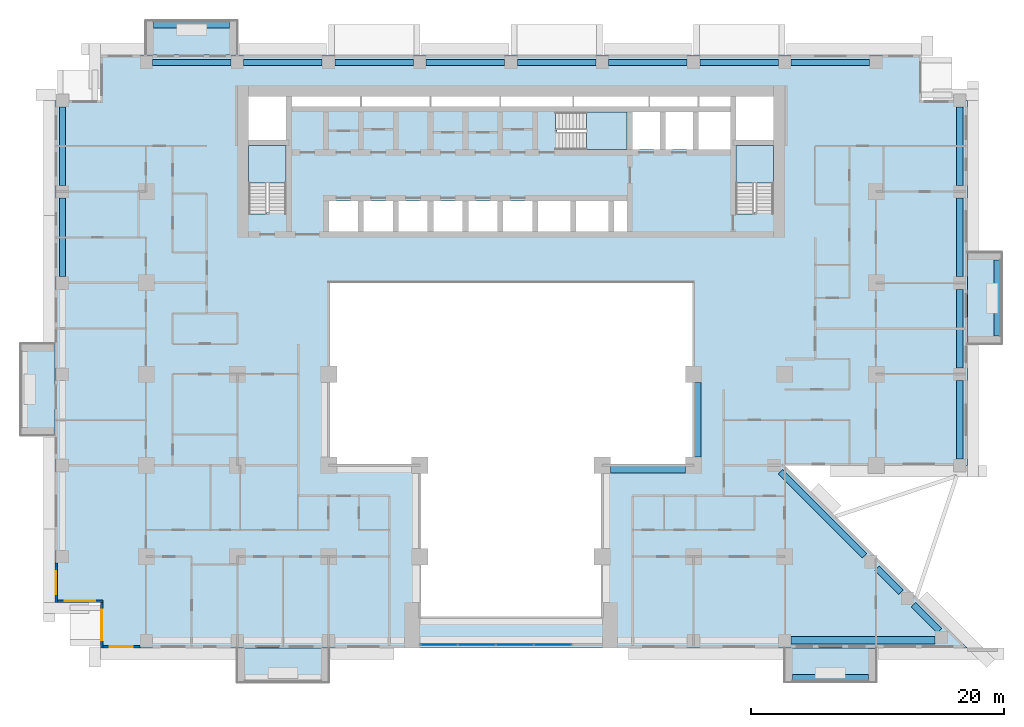
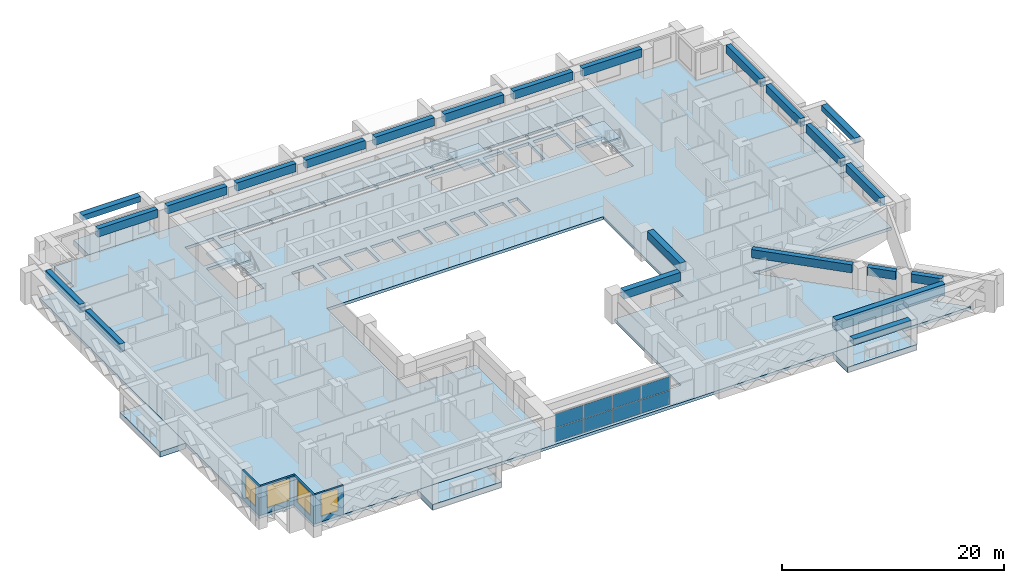
# One storey, part 5 of 16: 23 beams, 9 slabs, 8 plates, 4 walls, 4 windows, 4 openings, 4 elements without a shape of their own.
"""IFC4 building model written with IfcOpenShell, lengths in metres."""

from ifc_helpers import new_model, si_unit, direction, frame, frame_2d, origin, origin_2d, place, context, subcontext, project, spatial, polyline, rectangle, outline, extrude, source, transform, mapped, material, layer, layer_set, material_profile, profile_set, type_object, element, fill, aggregate, save


model = new_model("IFC4")

# Units and contexts
model_context = context("Model", 3, precision=1e-05, world=origin(), true_north=direction((0.0, 1.0)))
body_context = subcontext(model_context, "Body", "Model", "MODEL_VIEW")
ifc_project = project(units=[si_unit("LENGTHUNIT", "METRE"), si_unit("AREAUNIT", "SQUARE_METRE"), si_unit("VOLUMEUNIT", "CUBIC_METRE"), si_unit("PLANEANGLEUNIT", "RADIAN"), si_unit("MASSUNIT", "GRAM", prefix="KILO")], contexts=[model_context])

# Site, building, storey
site_placement = place(None, origin())
site = spatial("IfcSite", under=ifc_project, at=site_placement, CompositionType="ELEMENT")
building_placement = place(site_placement, origin())
building = spatial("IfcBuilding", under=site, at=building_placement, Name="Saffron Iwan Residences", CompositionType="ELEMENT")
storey_placement = place(building_placement, frame((0.0, 0.0, 83.0)))
storey = spatial("IfcBuildingStorey", under=building, at=storey_placement, Name="L21", CompositionType="ELEMENT", Elevation=83.0)

# Beams
ifc_material_1 = material(Name="Concrete C60/75", Category="concrete")
ifc_material_profile_1 = material_profile(ifc_material_1, rectangle(XDim=0.5, YDim=0.89990234375, at=origin_2d()), Name="RC 500x900")
ifc_profile_set_1 = profile_set([ifc_material_profile_1], Name="Concrete C60/75")
beam_type_1 = type_object("IfcBeamType", Name="SPANDREL BEAM RC 500x900 C60/75 TOP 3180", PredefinedType="SPANDREL", material=ifc_profile_set_1)
shared_shape_1 = source(origin(), body_context, "Body", "SweptSolid", [
    extrude(rectangle(XDim=0.5, YDim=0.89990234375, at=origin_2d()), origin(), (0.0, 0.0, 1.0), 6.199951171875),
])
for number, where, z_axis, x_axis, name in (
    (1, (85.800048828125, 54.699951171875, 2.72998046875), (0.0, -1.0, 0.0), (1.0, 0.0, 0.0), "Spandrel beam"),
    (2, (85.800048828125, 61.89990234375, 2.72998046875), (0.0, -1.0, 0.0), (1.0, 0.0, 0.0), "Spandrel beam"),
    (3, (15.0, 70.10009765625, 2.72998046875), (0.0, 1.0, 0.0), (-1.0, 0.0, 0.0), "Spandrel beam"),
    (4, (85.800048828125, 76.300048828125, 2.72998046875), (0.0, -1.0, 0.0), (1.0, 0.0, 0.0), "Spandrel beam"),
    (5, (22.10009765625, 79.800048828125, 2.72998046875), (1.0, 0.0, 0.0), (0.0, 1.0, 0.0), "Spandrel beam"),
    (6, (29.300048828125, 79.800048828125, 2.72998046875), (1.0, 0.0, 0.0), (0.0, 1.0, 0.0), "Spandrel beam"),
    (7, (36.5, 79.800048828125, 2.72998046875), (1.0, 0.0, 0.0), (0.0, 1.0, 0.0), "Spandrel beam"),
    (8, (43.699951171875, 79.800048828125, 2.72998046875), (1.0, 0.0, 0.0), (0.0, 1.0, 0.0), "Spandrel beam"),
    (9, (58.10009765625, 79.800048828125, 2.72998046875), (1.0, 0.0, 0.0), (0.0, 1.0, 0.0), "Spandrel beam"),
    (10, (65.300048828125, 79.800048828125, 2.72998046875), (1.0, 0.0, 0.0), (0.0, 1.0, 0.0), "Spandrel beam"),
    (11, (72.5, 79.800048828125, 2.72998046875), (1.0, 0.0, 0.0), (0.0, 1.0, 0.0), "Spandrel beam"),
):
    element("IfcBeam", number, at=place(storey_placement, frame(where, z_axis=z_axis, x_axis=x_axis)), inside=storey, type_object=beam_type_1, Name=name, PredefinedType="SPANDREL", context=body_context, shape_type="MappedRepresentation", body=[
        mapped(shared_shape_1, transform((0.0, 0.0, 0.0))),
    ])
shared_shape_2 = source(origin(), body_context, "Body", "SweptSolid", [
    extrude(rectangle(XDim=0.5, YDim=0.89990234375, at=origin_2d()), origin(), (0.0, 0.0, 1.0), 2.90478515625),
])
beam_1_placement = place(storey_placement, frame((82.15576171875, 36.995849609375, 2.72998046875), z_axis=(0.707106781187, -0.707106781187, 0.0), x_axis=(0.707106781187, 0.707106781187, 0.0)))
element("IfcBeam", 12, at=beam_1_placement, inside=storey, type_object=beam_type_1, Name="Spandrel beam", PredefinedType="SPANDREL", context=body_context, shape_type="MappedRepresentation", body=[
    mapped(shared_shape_2, transform((0.0, 0.0, 0.0))),
])
shared_shape_3 = source(origin(), body_context, "Body", "SweptSolid", [
    extrude(rectangle(XDim=0.5, YDim=0.89990234375, at=origin_2d()), origin(), (0.0, 0.0, 1.0), 2.658935546875),
])
beam_2_placement = place(storey_placement, frame((79.275634765625, 39.875732421875, 2.72998046875), z_axis=(0.707106781187, -0.707106781187, 0.0), x_axis=(0.707106781187, 0.707106781187, 0.0)))
element("IfcBeam", 13, at=beam_2_placement, inside=storey, type_object=beam_type_1, Name="Spandrel beam", PredefinedType="SPANDREL", context=body_context, shape_type="MappedRepresentation", body=[
    mapped(shared_shape_3, transform((0.0, 0.0, 0.0))),
])
shared_shape_4 = source(origin(), body_context, "Body", "SweptSolid", [
    extrude(rectangle(XDim=0.5, YDim=0.89990234375, at=origin_2d()), origin(), (0.0, 0.0, 1.0), 9.370361328125),
])
beam_3_placement = place(storey_placement, frame((71.64990234375, 47.50146484375, 2.72998046875), z_axis=(0.707119808329, -0.707093753804, 0.0), x_axis=(0.707093753804, 0.707119808329, 0.0)))
element("IfcBeam", 14, at=beam_3_placement, inside=storey, type_object=beam_type_1, Name="Spandrel beam", PredefinedType="SPANDREL", context=body_context, shape_type="MappedRepresentation", body=[
    mapped(shared_shape_4, transform((0.0, 0.0, 0.0))),
])
shared_shape_5 = source(origin(), body_context, "Body", "SweptSolid", [
    extrude(rectangle(XDim=0.5, YDim=0.89990234375, at=origin_2d()), origin(), (0.0, 0.0, 1.0), 6.2001953125),
])
for number, where, z_axis, x_axis, name in (
    (15, (15.0, 62.89990234375, 2.72998046875), (0.0, 1.0, 0.0), (-1.0, 0.0, 0.0), "Spandrel beam"),
    (16, (85.800048828125, 69.10009765625, 2.72998046875), (0.0, -1.0, 0.0), (1.0, 0.0, 0.0), "Spandrel beam"),
    (17, (50.89990234375, 79.800048828125, 2.72998046875), (1.0, 0.0, 0.0), (0.0, 1.0, 0.0), "Spandrel beam"),
):
    element("IfcBeam", number, at=place(storey_placement, frame(where, z_axis=z_axis, x_axis=x_axis)), inside=storey, type_object=beam_type_1, Name=name, PredefinedType="SPANDREL", context=body_context, shape_type="MappedRepresentation", body=[
        mapped(shared_shape_5, transform((0.0, 0.0, 0.0))),
    ])
ifc_material_profile_2 = material_profile(ifc_material_1, rectangle(XDim=0.60009765625, YDim=1.199951171875, at=origin_2d()), Name="RC 600x1200")
ifc_profile_set_2 = profile_set([ifc_material_profile_2], Name="Concrete C60/75")
beam_type_2 = type_object("IfcBeamType", Name="LINTEL BEAM RC 600x1200 C60/75 TOP 3180", PredefinedType="LINTEL", material=ifc_profile_set_2)
shared_shape_6 = source(origin(), body_context, "Body", "SweptSolid", [
    extrude(rectangle(XDim=0.60009765625, YDim=1.199951171875, at=origin_2d()), origin(), (0.0, 0.0, 1.0), 11.367431640625),
])
beam_4_placement = place(storey_placement, frame((83.867431640625, 34.199951171875, 2.580078125), z_axis=(-1.0, 0.0, 0.0), x_axis=(0.0, -1.0, 0.0)))
element("IfcBeam", 18, at=beam_4_placement, inside=storey, type_object=beam_type_2, Name="Lintel beam over the iwan", PredefinedType="LINTEL", context=body_context, shape_type="MappedRepresentation", body=[
    mapped(shared_shape_6, transform((0.0, 0.0, 0.0))),
])
ifc_material_profile_3 = material_profile(ifc_material_1, rectangle(XDim=0.60009765625, YDim=0.89990234375, at=origin_2d()), Name="RC 600x900")
ifc_profile_set_3 = profile_set([ifc_material_profile_3], Name="Concrete C60/75")
beam_type_3 = type_object("IfcBeamType", Name="BEAM RC 600x900 C60/75 TOP 3180", PredefinedType="BEAM", material=ifc_profile_set_3)
shared_shape_7 = source(origin(), body_context, "Body", "SweptSolid", [
    extrude(rectangle(XDim=0.60009765625, YDim=0.89990234375, at=origin_2d()), origin(), (0.0, 0.0, 1.0), 5.900146484375),
])
beam_5_placement = place(storey_placement, frame((65.10009765625, 54.550048828125, 2.72998046875), z_axis=(0.0, -1.0, 0.0), x_axis=(1.0, 0.0, 0.0)))
element("IfcBeam", 19, at=beam_5_placement, inside=storey, type_object=beam_type_3, Name="Atrium edge beam", PredefinedType="BEAM", context=body_context, shape_type="MappedRepresentation", body=[
    mapped(shared_shape_7, transform((0.0, 0.0, 0.0))),
])
shared_shape_8 = source(origin(), body_context, "Body", "SweptSolid", [
    extrude(rectangle(XDim=0.60009765625, YDim=0.89990234375, at=origin_2d()), origin(), (0.0, 0.0, 1.0), 5.89990234375),
])
beam_6_placement = place(storey_placement, frame((64.14990234375, 47.699951171875, 2.72998046875), z_axis=(-1.0, 0.0, 0.0), x_axis=(0.0, -1.0, 0.0)))
element("IfcBeam", 20, at=beam_6_placement, inside=storey, type_object=beam_type_3, Name="Atrium edge beam", PredefinedType="BEAM", context=body_context, shape_type="MappedRepresentation", body=[
    mapped(shared_shape_8, transform((0.0, 0.0, 0.0))),
])
ifc_material_2 = material(Name="Concrete C50/60 white painted", Category="concrete")
ifc_material_profile_4 = material_profile(ifc_material_2, rectangle(XDim=0.60009765625, YDim=0.60009765625, at=origin_2d()), Name="BALCONY FASCIA BEAM 600 x 600")
ifc_profile_set_4 = profile_set([ifc_material_profile_4], Name="Concrete C50/60 white painted")
beam_type_4 = type_object("IfcBeamType", Name="BALCONY FASCIA BEAM 600 x 600", PredefinedType="BEAM", material=ifc_profile_set_4)
shared_shape_9 = source(origin(), body_context, "Body", "SweptSolid", [
    extrude(rectangle(XDim=0.60009765625, YDim=0.60009765625, at=origin_2d()), origin(), (0.0, 0.0, 1.0), 6.0),
])
for number, where, z_axis, x_axis, name in (
    (21, (88.800048828125, 58.199951171875, 2.550048828125), (0.0, 1.0, 0.0), (-1.0, 0.0, 0.0), "Balcony fascia beam L21 F2-0"),
    (22, (28.199951171875, 82.800048828125, 2.550048828125), (-1.0, 0.0, 0.0), (0.0, -1.0, 0.0), "Balcony fascia beam L21 F5-3"),
    (23, (72.60009765625, 31.199951171875, 2.550048828125), (1.0, 0.0, 0.0), (0.0, 1.0, 0.0), "Balcony fascia beam L21 11-1"),
):
    element("IfcBeam", number, at=place(storey_placement, frame(where, z_axis=z_axis, x_axis=x_axis)), inside=storey, type_object=beam_type_4, Name=name, PredefinedType="BEAM", context=body_context, shape_type="MappedRepresentation", body=[
        mapped(shared_shape_9, transform((0.0, 0.0, 0.0))),
    ])

# Slabs
ifc_layer_1 = layer(ifc_material_2, 0.60009765625)
ifc_layer_set_1 = layer_set([ifc_layer_1], Name="Concrete C50/60 white painted")
slab_type_1 = type_object("IfcSlabType", Name="BALCONY FRAME SLAB 600", PredefinedType="FLOOR", material=ifc_layer_set_1)
slab_1_placement = place(storey_placement, frame((0.0, 0.0, -0.60009765625)))
element("IfcSlab", 24, at=slab_1_placement, inside=storey, type_object=slab_type_1, Name="Balcony frame slab L21 F2-0", PredefinedType="FLOOR", context=body_context, shape_type="SweptSolid", body=[
    extrude(outline(polyline([(89.10009765625, 57.60009765625), (89.10009765625, 64.800048828125), (86.39990234375, 64.800048828125), (86.39990234375, 57.60009765625), (89.10009765625, 57.60009765625)])), origin(), (0.0, 0.0, 1.0), 0.60009765625),
])
slab_2_placement = place(storey_placement, frame((0.0, 0.0, -0.60009765625)))
element("IfcSlab", 25, at=slab_2_placement, inside=storey, type_object=slab_type_1, Name="Balcony frame slab L21 F5-3", PredefinedType="FLOOR", context=body_context, shape_type="SweptSolid", body=[
    extrude(outline(polyline([(28.800048828125, 83.10009765625), (21.60009765625, 83.10009765625), (21.60009765625, 80.39990234375), (28.800048828125, 80.39990234375), (28.800048828125, 83.10009765625)])), origin(), (0.0, 0.0, 1.0), 0.60009765625),
])
slab_3_placement = place(storey_placement, frame((0.0, 0.0, -0.60009765625)))
element("IfcSlab", 26, at=slab_3_placement, inside=storey, type_object=slab_type_1, Name="Balcony frame slab L21 F8-1", PredefinedType="FLOOR", context=body_context, shape_type="SweptSolid", body=[
    extrude(outline(polyline([(11.699951171875, 57.60009765625), (11.699951171875, 50.39990234375), (14.39990234375, 50.39990234375), (14.39990234375, 57.60009765625), (11.699951171875, 57.60009765625)])), origin(), (0.0, 0.0, 1.0), 0.60009765625),
])
slab_4_placement = place(storey_placement, frame((0.0, 0.0, -0.60009765625)))
element("IfcSlab", 27, at=slab_4_placement, inside=storey, type_object=slab_type_1, Name="Balcony frame slab L21 11-0", PredefinedType="FLOOR", context=body_context, shape_type="SweptSolid", body=[
    extrude(outline(polyline([(28.800048828125, 30.89990234375), (36.0, 30.89990234375), (36.0, 33.60009765625), (28.800048828125, 33.60009765625), (28.800048828125, 30.89990234375)])), origin(), (0.0, 0.0, 1.0), 0.60009765625),
])
slab_5_placement = place(storey_placement, frame((0.0, 0.0, -0.60009765625)))
element("IfcSlab", 28, at=slab_5_placement, inside=storey, type_object=slab_type_1, Name="Balcony frame slab L21 11-1", PredefinedType="FLOOR", context=body_context, shape_type="SweptSolid", body=[
    extrude(outline(polyline([(72.0, 30.89990234375), (79.199951171875, 30.89990234375), (79.199951171875, 33.60009765625), (72.0, 33.60009765625), (72.0, 30.89990234375)])), origin(), (0.0, 0.0, 1.0), 0.60009765625),
])
ifc_material_3 = material(Name="Concrete C40/50", Category="concrete")
ifc_layer_2 = layer(ifc_material_3, 0.320068359375)
ifc_layer_set_2 = layer_set([ifc_layer_2], Name="Concrete C40/50")
slab_type_2 = type_object("IfcSlabType", Name="PT PLATE 320 C40/50", PredefinedType="FLOOR", material=ifc_layer_set_2)
slab_6_placement = place(storey_placement, frame((0.0, 0.0, -0.320068359375)))
element("IfcSlab", 29, at=slab_6_placement, inside=storey, type_object=slab_type_2, Name="Floor slab L21", PredefinedType="FLOOR", context=body_context, shape_type="SweptSolid", body=[
    extrude(outline(polyline([(14.39990234375, 37.199951171875), (14.39990234375, 76.800048828125), (18.0, 76.800048828125), (18.0, 80.39990234375), (82.800048828125, 80.39990234375), (82.800048828125, 76.800048828125), (86.39990234375, 76.800048828125), (86.39990234375, 48.0), (72.0, 48.0), (86.39990234375, 33.60009765625), (18.0, 33.60009765625), (18.0, 37.199951171875), (14.39990234375, 37.199951171875)]), holes=[polyline([(64.800048828125, 48.0), (64.800048828125, 62.39990234375), (36.0, 62.39990234375), (36.0, 48.0), (43.199951171875, 48.0), (43.199951171875, 36.0), (57.60009765625, 36.0), (57.60009765625, 48.0), (64.800048828125, 48.0)]), polyline([(38.324951171875, 68.875), (36.02490234375, 68.875), (36.02490234375, 66.449951171875), (38.324951171875, 66.449951171875), (38.324951171875, 68.875)]), polyline([(41.074951171875, 66.449951171875), (41.074951171875, 68.875), (38.77490234375, 68.875), (38.77490234375, 66.449951171875), (41.074951171875, 66.449951171875)]), polyline([(43.824951171875, 66.449951171875), (43.824951171875, 68.875), (41.52490234375, 68.875), (41.52490234375, 66.449951171875), (43.824951171875, 66.449951171875)]), polyline([(46.574951171875, 68.875), (44.27490234375, 68.875), (44.27490234375, 66.449951171875), (46.574951171875, 66.449951171875), (46.574951171875, 68.875)]), polyline([(49.324951171875, 66.449951171875), (49.324951171875, 68.875), (47.02490234375, 68.875), (47.02490234375, 66.449951171875), (49.324951171875, 66.449951171875)]), polyline([(52.074951171875, 66.449951171875), (52.074951171875, 68.875), (49.77490234375, 68.875), (49.77490234375, 66.449951171875), (52.074951171875, 66.449951171875)]), polyline([(29.699951171875, 73.25), (29.699951171875, 67.949951171875), (29.699951171875, 67.8505859375), (31.10009765625, 67.8505859375), (31.10009765625, 67.949951171875), (32.64990234375, 67.949951171875), (32.64990234375, 73.25), (29.699951171875, 73.25)]), polyline([(32.64990234375, 73.699951171875), (32.64990234375, 77.10009765625), (29.699951171875, 77.10009765625), (29.699951171875, 73.699951171875), (32.64990234375, 73.699951171875)]), polyline([(38.5, 76.324951171875), (38.5, 77.10009765625), (33.10009765625, 77.10009765625), (33.10009765625, 76.324951171875), (38.5, 76.324951171875)]), polyline([(44.0, 77.10009765625), (38.60009765625, 77.10009765625), (38.60009765625, 76.324951171875), (44.0, 76.324951171875), (44.0, 77.10009765625)]), polyline([(49.5, 76.324951171875), (49.5, 77.10009765625), (44.10009765625, 77.10009765625), (44.10009765625, 76.324951171875), (49.5, 76.324951171875)]), polyline([(55.25, 76.324951171875), (55.25, 77.10009765625), (49.60009765625, 77.10009765625), (49.60009765625, 76.324951171875), (55.25, 76.324951171875)]), polyline([(55.074951171875, 68.875), (52.52490234375, 68.875), (52.52490234375, 66.449951171875), (55.074951171875, 66.449951171875), (55.074951171875, 68.875)]), polyline([(58.074951171875, 66.449951171875), (58.074951171875, 68.875), (55.52490234375, 68.875), (55.52490234375, 66.449951171875), (58.074951171875, 66.449951171875)]), polyline([(59.550048828125, 66.449951171875), (59.550048828125, 68.875), (58.52490234375, 68.875), (58.52490234375, 66.449951171875), (59.550048828125, 66.449951171875)]), polyline([(68.14990234375, 73.25), (68.14990234375, 67.949951171875), (68.14990234375, 67.8505859375), (69.550048828125, 67.8505859375), (69.550048828125, 67.949951171875), (71.10009765625, 67.949951171875), (71.10009765625, 73.25), (68.14990234375, 73.25)]), polyline([(53.925537109375, 74.47509765625), (54.02490234375, 74.47509765625), (54.02490234375, 72.925048828125), (59.550048828125, 72.925048828125), (59.550048828125, 75.875), (54.02490234375, 75.875), (53.925537109375, 75.875), (53.925537109375, 74.47509765625)]), polyline([(62.14990234375, 72.925048828125), (62.14990234375, 75.875), (60.0, 75.875), (60.0, 72.925048828125), (62.14990234375, 72.925048828125)]), polyline([(64.75, 75.875), (62.60009765625, 75.875), (62.60009765625, 72.925048828125), (64.75, 72.925048828125), (64.75, 75.875)]), polyline([(67.699951171875, 72.925048828125), (67.699951171875, 75.875), (65.199951171875, 75.875), (65.199951171875, 72.925048828125), (67.699951171875, 72.925048828125)]), polyline([(71.10009765625, 73.699951171875), (71.10009765625, 77.10009765625), (68.14990234375, 77.10009765625), (68.14990234375, 73.699951171875), (71.10009765625, 73.699951171875)]), polyline([(61.25, 77.10009765625), (55.35009765625, 77.10009765625), (55.35009765625, 76.324951171875), (61.25, 76.324951171875), (61.25, 77.10009765625)]), polyline([(65.14990234375, 76.324951171875), (65.14990234375, 77.10009765625), (61.35009765625, 77.10009765625), (61.35009765625, 76.324951171875), (65.14990234375, 76.324951171875)]), polyline([(67.699951171875, 76.324951171875), (67.699951171875, 77.10009765625), (65.25, 77.10009765625), (65.25, 76.324951171875), (67.699951171875, 76.324951171875)])]), origin(), (0.0, 0.0, 1.0), 0.320068359375),
])

# Stair, slab
ifc_material_4 = material(Name="Concrete C50/60", Category="concrete")
stair_type = type_object("IfcStairType", Name="Stair ST-CORE", PredefinedType="HALF_TURN_STAIR", material=ifc_material_4)
stair_1_placement = place(storey_placement, origin())
stair_1 = element("IfcStair", 30, at=stair_1_placement, inside=storey, type_object=stair_type, Name="L21 Exit Stair ST-W", PredefinedType="HALF_TURN_STAIR")
ifc_layer_3 = layer(ifc_material_4, 0.199951171875)
ifc_layer_set_3 = layer_set([ifc_layer_3], Name="Concrete C50/60")
slab_type_3 = type_object("IfcSlabType", Name="Stair landing SL-RC", PredefinedType="LANDING", material=ifc_layer_set_3)
slab_7_placement = place(storey_placement, frame((0.0, 0.0, 1.5498046875)))
slab_7 = element("IfcSlab", 31, at=slab_7_placement, type_object=slab_type_3, Name="ST-W landing 1", PredefinedType="LANDING", context=body_context, shape_type="SweptSolid", body=[
    extrude(outline(polyline([(32.64990234375, 70.280029296875), (32.64990234375, 73.25), (29.699951171875, 73.25), (29.699951171875, 70.280029296875), (32.64990234375, 70.280029296875)])), origin(), (0.0, 0.0, 1.0), 0.2001953125),
])
aggregate(stair_1, [slab_7])

stair_2_placement = place(storey_placement, origin())
stair_2 = element("IfcStair", 32, at=stair_2_placement, inside=storey, type_object=stair_type, Name="L21 Exit Stair ST-C", PredefinedType="HALF_TURN_STAIR")
slab_8_placement = place(storey_placement, frame((0.0, 0.0, 1.5498046875)))
slab_8 = element("IfcSlab", 33, at=slab_8_placement, type_object=slab_type_3, Name="ST-C landing 1", PredefinedType="LANDING", context=body_context, shape_type="SweptSolid", body=[
    extrude(outline(polyline([(56.35498046875, 72.925048828125), (59.550048828125, 72.925048828125), (59.550048828125, 75.875), (56.35498046875, 75.875), (56.35498046875, 72.925048828125)])), origin(), (0.0, 0.0, 1.0), 0.2001953125),
])
aggregate(stair_2, [slab_8])

stair_3_placement = place(storey_placement, origin())
stair_3 = element("IfcStair", 34, at=stair_3_placement, inside=storey, type_object=stair_type, Name="L21 Exit Stair ST-E", PredefinedType="HALF_TURN_STAIR")
slab_9_placement = place(storey_placement, frame((0.0, 0.0, 1.5498046875)))
slab_9 = element("IfcSlab", 35, at=slab_9_placement, type_object=slab_type_3, Name="ST-E landing 1", PredefinedType="LANDING", context=body_context, shape_type="SweptSolid", body=[
    extrude(outline(polyline([(71.10009765625, 70.280029296875), (71.10009765625, 73.25), (68.14990234375, 73.25), (68.14990234375, 70.280029296875), (71.10009765625, 70.280029296875)])), origin(), (0.0, 0.0, 1.0), 0.2001953125),
])
aggregate(stair_3, [slab_9])

# Curtain wall, plates
ifc_material_5 = material(Name="Clear glass, laminated double glazed", Category="glass")
ifc_layer_4 = layer(ifc_material_5, 0.199951171875)
ifc_layer_set_4 = layer_set([ifc_layer_4], Name="Clear glass, laminated double glazed")
curtain_wall_type = type_object("IfcCurtainWallType", Name="CW-B IWAN PORTAL", PredefinedType="NOTDEFINED", material=ifc_layer_set_4)
curtain_wall_placement = place(storey_placement, origin())
curtain_wall = element("IfcCurtainWall", 36, at=curtain_wall_placement, inside=storey, type_object=curtain_wall_type, Name="Iwan portal glazing L21.1", PredefinedType="NOTDEFINED")
ifc_layer_5 = layer(ifc_material_5, 0.028076171875)
ifc_layer_set_5 = layer_set([ifc_layer_5], Name="Clear glass, laminated double glazed")
plate_type = type_object("IfcPlateType", Name="CW-B PANEL 28", PredefinedType="CURTAIN_PANEL", material=ifc_layer_set_5)
shared_shape_10 = source(origin(), body_context, "Body", "SweptSolid", [
    extrude(rectangle(XDim=2.909912109375, YDim=0.028076171875, at=origin_2d()), origin(), (0.0, 0.0, 1.0), 1.5),
])
plate_1_placement = place(storey_placement, frame((44.715087890625, 33.85009765625, 0.06005859375), z_axis=(0.0, 0.0, 1.0), x_axis=(1.0, 0.0, 0.0)))
plate_1 = element("IfcPlate", 37, at=plate_1_placement, type_object=plate_type, Name="CW-B panel 1.1", PredefinedType="CURTAIN_PANEL", context=body_context, shape_type="MappedRepresentation", body=[
    mapped(shared_shape_10, transform((0.0, 0.0, 0.0))),
])
plate_2_placement = place(storey_placement, frame((44.715087890625, 33.85009765625, 1.6201171875), z_axis=(0.0, 0.0, 1.0), x_axis=(1.0, 0.0, 0.0)))
plate_2 = element("IfcPlate", 38, at=plate_2_placement, type_object=plate_type, Name="CW-B panel 1.2", PredefinedType="CURTAIN_PANEL", context=body_context, shape_type="MappedRepresentation", body=[
    mapped(shared_shape_10, transform((0.0, 0.0, 0.0))),
])
plate_3_placement = place(storey_placement, frame((53.68505859375, 33.85009765625, 0.06005859375), z_axis=(0.0, 0.0, 1.0), x_axis=(1.0, 0.0, 0.0)))
plate_3 = element("IfcPlate", 39, at=plate_3_placement, type_object=plate_type, Name="CW-B panel 4.1", PredefinedType="CURTAIN_PANEL", context=body_context, shape_type="MappedRepresentation", body=[
    mapped(shared_shape_10, transform((0.0, 0.0, 0.0))),
])
plate_4_placement = place(storey_placement, frame((53.68505859375, 33.85009765625, 1.6201171875), z_axis=(0.0, 0.0, 1.0), x_axis=(1.0, 0.0, 0.0)))
plate_4 = element("IfcPlate", 40, at=plate_4_placement, type_object=plate_type, Name="CW-B panel 4.2", PredefinedType="CURTAIN_PANEL", context=body_context, shape_type="MappedRepresentation", body=[
    mapped(shared_shape_10, transform((0.0, 0.0, 0.0))),
])
shared_shape_11 = source(origin(), body_context, "Body", "SweptSolid", [
    extrude(rectangle(XDim=2.93994140625, YDim=0.028076171875, at=origin_2d()), origin(), (0.0, 0.0, 1.0), 1.5),
])
plate_5_placement = place(storey_placement, frame((47.699951171875, 33.85009765625, 0.06005859375), z_axis=(0.0, 0.0, 1.0), x_axis=(1.0, 0.0, 0.0)))
plate_5 = element("IfcPlate", 41, at=plate_5_placement, type_object=plate_type, Name="CW-B panel 2.1", PredefinedType="CURTAIN_PANEL", context=body_context, shape_type="MappedRepresentation", body=[
    mapped(shared_shape_11, transform((0.0, 0.0, 0.0))),
])
plate_6_placement = place(storey_placement, frame((47.699951171875, 33.85009765625, 1.6201171875), z_axis=(0.0, 0.0, 1.0), x_axis=(1.0, 0.0, 0.0)))
plate_6 = element("IfcPlate", 42, at=plate_6_placement, type_object=plate_type, Name="CW-B panel 2.2", PredefinedType="CURTAIN_PANEL", context=body_context, shape_type="MappedRepresentation", body=[
    mapped(shared_shape_11, transform((0.0, 0.0, 0.0))),
])
plate_7_placement = place(storey_placement, frame((50.699951171875, 33.85009765625, 0.06005859375), z_axis=(0.0, 0.0, 1.0), x_axis=(1.0, 0.0, 0.0)))
plate_7 = element("IfcPlate", 43, at=plate_7_placement, type_object=plate_type, Name="CW-B panel 3.1", PredefinedType="CURTAIN_PANEL", context=body_context, shape_type="MappedRepresentation", body=[
    mapped(shared_shape_11, transform((0.0, 0.0, 0.0))),
])
plate_8_placement = place(storey_placement, frame((50.699951171875, 33.85009765625, 1.6201171875), z_axis=(0.0, 0.0, 1.0), x_axis=(1.0, 0.0, 0.0)))
plate_8 = element("IfcPlate", 44, at=plate_8_placement, type_object=plate_type, Name="CW-B panel 3.2", PredefinedType="CURTAIN_PANEL", context=body_context, shape_type="MappedRepresentation", body=[
    mapped(shared_shape_11, transform((0.0, 0.0, 0.0))),
])
aggregate(curtain_wall, [plate_1, plate_2, plate_5, plate_6, plate_7, plate_8, plate_3, plate_4])

# Wall, opening, window
ifc_layer_6 = layer(ifc_material_3, 0.199951171875)
ifc_layer_set_6 = layer_set([ifc_layer_6], Name="Concrete C40/50")
wall_type = type_object("IfcWallType", Name="EXTERNAL WALL 200", PredefinedType="SOLIDWALL", material=ifc_layer_set_6)
wall_1_placement = place(storey_placement, frame((14.5, 40.300048828125, 0.0), z_axis=(0.0, 0.0, 1.0), x_axis=(0.0, -1.0, 0.0)))
wall_1 = element("IfcWall", 45, at=wall_1_placement, inside=storey, type_object=wall_type, Name="External wall L21 F8.5", PredefinedType="SOLIDWALL", context=body_context, shape_type="SweptSolid", body=[
    extrude(rectangle(XDim=3.10009765625, YDim=0.199951171875, at=frame_2d((1.550048828125, 0.0))), origin(), (0.0, 0.0, 1.0), 3.179931640625),
])
opening_1_placement = place(wall_1_placement, frame((0.64990234375, 0.0, 0.60009765625)))
opening_1 = element("IfcOpeningElement", 46, at=opening_1_placement, cuts=wall_1, Name="Opening W8", PredefinedType="OPENING", context=body_context, shape_type="SweptSolid", body=[
    extrude(rectangle(XDim=1.800048828125, YDim=2.39990234375, at=frame_2d((0.89990234375, 1.199951171875))), frame((0.0, 0.10986328125, 0.0), z_axis=(0.0, -1.0, 0.0), x_axis=(1.0, 0.0, 0.0)), (0.0, 0.0, 1.0), 0.219970703125),
])
window_type_1 = type_object("IfcWindowType", Name="WINDOW 1800 x 2400", PartitioningType="DOUBLE_PANEL_VERTICAL", PredefinedType="WINDOW", material=ifc_material_5)
window_1_placement = place(opening_1_placement, origin())
window_1 = element("IfcWindow", 47, at=window_1_placement, inside=storey, type_object=window_type_1, Name="Window L21 F8.0", OverallHeight=2.39990234375, OverallWidth=1.800048828125, PartitioningType="DOUBLE_PANEL_VERTICAL", PredefinedType="WINDOW", context=body_context, shape_type="SweptSolid", body=[
    extrude(rectangle(XDim=1.800048828125, YDim=2.39990234375, at=frame_2d((0.89990234375, 1.199951171875))), frame((0.0, 0.030029296875, 0.0), z_axis=(0.0, -1.0, 0.0), x_axis=(1.0, 0.0, 0.0)), (0.0, 0.0, 1.0), 0.06005859375),
])
fill(opening_1, window_1)

wall_2_placement = place(storey_placement, frame((14.60009765625, 37.300048828125, 0.0), z_axis=(0.0, 0.0, 1.0), x_axis=(1.0, 0.0, 0.0)))
wall_2 = element("IfcWall", 48, at=wall_2_placement, inside=storey, type_object=wall_type, Name="External wall L21 F9.0", PredefinedType="SOLIDWALL", context=body_context, shape_type="SweptSolid", body=[
    extrude(rectangle(XDim=3.599853515625, YDim=0.199951171875, at=frame_2d((1.7998046875, 0.0))), origin(), (0.0, 0.0, 1.0), 3.179931640625),
])
opening_2_placement = place(wall_2_placement, frame((0.60009765625, 0.0, 0.60009765625)))
opening_2 = element("IfcOpeningElement", 49, at=opening_2_placement, cuts=wall_2, Name="Opening W1", PredefinedType="OPENING", context=body_context, shape_type="SweptSolid", body=[
    extrude(rectangle(XDim=2.39990234375, YDim=2.39990234375, at=frame_2d((1.199951171875, 1.199951171875))), frame((0.0, 0.10986328125, 0.0), z_axis=(0.0, -1.0, 0.0), x_axis=(1.0, 0.0, 0.0)), (0.0, 0.0, 1.0), 0.219970703125),
])
window_type_2 = type_object("IfcWindowType", Name="WINDOW 2400 x 2400", PartitioningType="DOUBLE_PANEL_VERTICAL", PredefinedType="WINDOW", material=ifc_material_5)
window_2_placement = place(opening_2_placement, origin())
window_2 = element("IfcWindow", 50, at=window_2_placement, inside=storey, type_object=window_type_2, Name="Window L21 F9.0", OverallHeight=2.39990234375, OverallWidth=2.39990234375, PartitioningType="DOUBLE_PANEL_VERTICAL", PredefinedType="WINDOW", context=body_context, shape_type="SweptSolid", body=[
    extrude(rectangle(XDim=2.39990234375, YDim=2.39990234375, at=frame_2d((1.199951171875, 1.199951171875))), frame((0.0, 0.030029296875, 0.0), z_axis=(0.0, -1.0, 0.0), x_axis=(1.0, 0.0, 0.0)), (0.0, 0.0, 1.0), 0.06005859375),
])
fill(opening_2, window_2)

wall_3_placement = place(storey_placement, frame((18.10009765625, 37.199951171875, 0.0), z_axis=(0.0, 0.0, 1.0), x_axis=(0.0, -1.0, 0.0)))
wall_3 = element("IfcWall", 51, at=wall_3_placement, inside=storey, type_object=wall_type, Name="External wall L21 F10.0", PredefinedType="SOLIDWALL", context=body_context, shape_type="SweptSolid", body=[
    extrude(rectangle(XDim=3.599853515625, YDim=0.199951171875, at=frame_2d((1.7998046875, 0.0))), origin(), (0.0, 0.0, 1.0), 3.179931640625),
])
opening_3_placement = place(wall_3_placement, frame((0.60009765625, 0.0, 0.60009765625)))
opening_3 = element("IfcOpeningElement", 52, at=opening_3_placement, cuts=wall_3, Name="Opening W1", PredefinedType="OPENING", context=body_context, shape_type="SweptSolid", body=[
    extrude(rectangle(XDim=2.39990234375, YDim=2.39990234375, at=frame_2d((1.199951171875, 1.199951171875))), frame((0.0, 0.10986328125, 0.0), z_axis=(0.0, -1.0, 0.0), x_axis=(1.0, 0.0, 0.0)), (0.0, 0.0, 1.0), 0.219970703125),
])
window_3_placement = place(opening_3_placement, origin())
window_3 = element("IfcWindow", 53, at=window_3_placement, inside=storey, type_object=window_type_2, Name="Window L21 F10.0", OverallHeight=2.39990234375, OverallWidth=2.39990234375, PartitioningType="DOUBLE_PANEL_VERTICAL", PredefinedType="WINDOW", context=body_context, shape_type="SweptSolid", body=[
    extrude(rectangle(XDim=2.39990234375, YDim=2.39990234375, at=frame_2d((1.199951171875, 1.199951171875))), frame((0.0, 0.030029296875, 0.0), z_axis=(0.0, -1.0, 0.0), x_axis=(1.0, 0.0, 0.0)), (0.0, 0.0, 1.0), 0.06005859375),
])
fill(opening_3, window_3)

wall_4_placement = place(storey_placement, frame((18.199951171875, 33.699951171875, 0.0), z_axis=(0.0, 0.0, 1.0), x_axis=(1.0, 0.0, 0.0)))
wall_4 = element("IfcWall", 54, at=wall_4_placement, inside=storey, type_object=wall_type, Name="External wall L21 F11.0", PredefinedType="SOLIDWALL", context=body_context, shape_type="SweptSolid", body=[
    extrude(rectangle(XDim=2.900146484375, YDim=0.199951171875, at=frame_2d((1.4501953125, 0.0))), origin(), (0.0, 0.0, 1.0), 3.179931640625),
])
opening_4_placement = place(wall_4_placement, frame((0.550048828125, 0.0, 0.60009765625)))
opening_4 = element("IfcOpeningElement", 55, at=opening_4_placement, cuts=wall_4, Name="Opening W8", PredefinedType="OPENING", context=body_context, shape_type="SweptSolid", body=[
    extrude(rectangle(XDim=1.800048828125, YDim=2.39990234375, at=frame_2d((0.89990234375, 1.199951171875))), frame((0.0, 0.10986328125, 0.0), z_axis=(0.0, -1.0, 0.0), x_axis=(1.0, 0.0, 0.0)), (0.0, 0.0, 1.0), 0.219970703125),
])
window_4_placement = place(opening_4_placement, origin())
window_4 = element("IfcWindow", 56, at=window_4_placement, inside=storey, type_object=window_type_1, Name="Window L21 F11.0", OverallHeight=2.39990234375, OverallWidth=1.800048828125, PartitioningType="DOUBLE_PANEL_VERTICAL", PredefinedType="WINDOW", context=body_context, shape_type="SweptSolid", body=[
    extrude(rectangle(XDim=1.800048828125, YDim=2.39990234375, at=frame_2d((0.89990234375, 1.199951171875))), frame((0.0, 0.030029296875, 0.0), z_axis=(0.0, -1.0, 0.0), x_axis=(1.0, 0.0, 0.0)), (0.0, 0.0, 1.0), 0.06005859375),
])
fill(opening_4, window_4)

save(model, "model.ifc")
